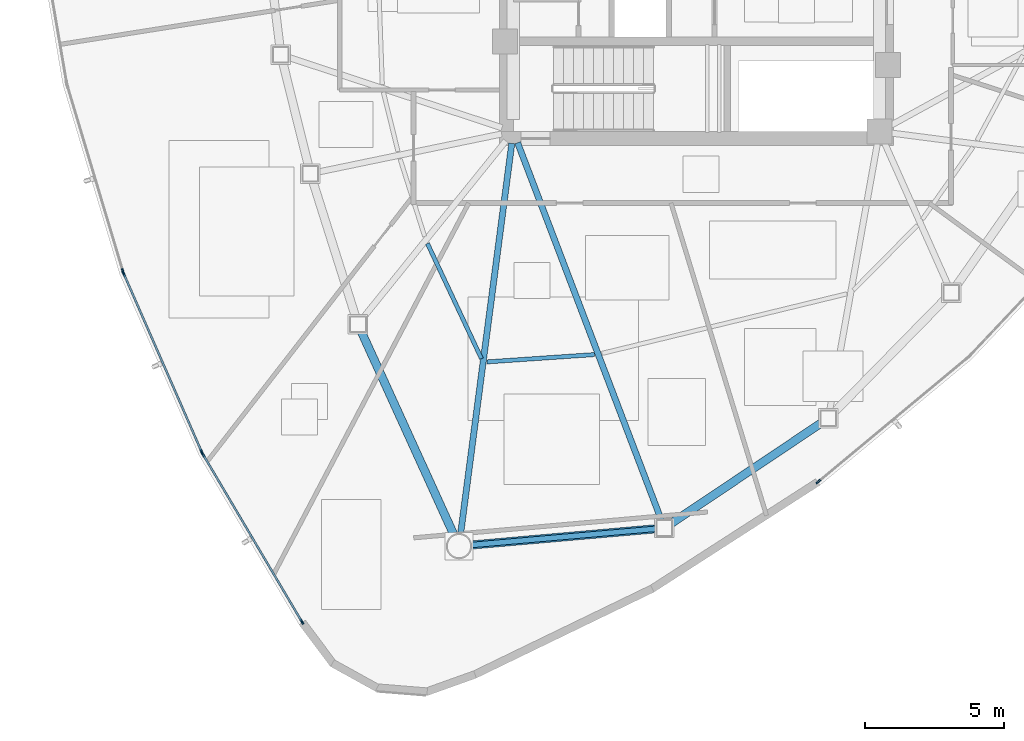
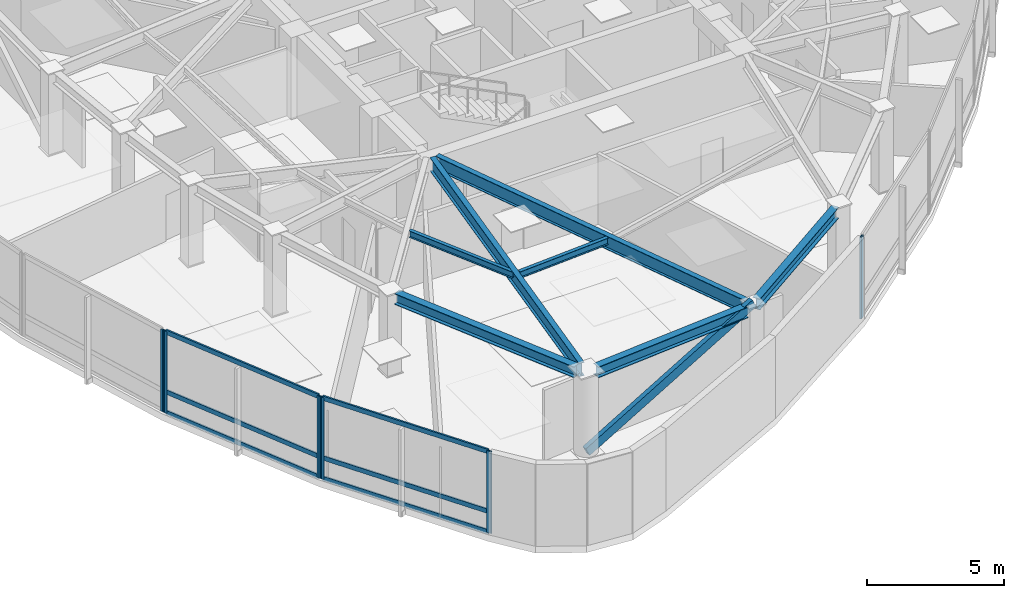
# One storey, part 2 of 15: 13 members, 7 beams, 4 elements without a shape of their own.
"""IFC4 building model written with IfcOpenShell, lengths in metres."""

import ifcopenshell
import ifcopenshell.guid

model = None  # the IFC model being written
_history = None  # IfcOwnerHistory: only IFC2X3 demands one
_inside = {}  # id of a spatial element -> (the spatial element, [elements in it])
_under = {}  # id of a project, library or spatial element -> (it, [spatial elements below it])
_declared = {}  # id of a project -> (the project, [libraries it declares])
_typed = {}  # id of a type object -> (the type object, [elements of that type])
_made_of = {}  # id of a material, layer set ... -> (it, [elements and type objects made of it])


def new_model(schema):
    """Start an empty IFC model of exactly this schema.

    Asked for "IFC4X3", IfcOpenShell would pick the latest addendum, in which some entities
    have other attributes; the version numbers below select the first issue.
    IFC2X3 requires an IfcOwnerHistory on every rooted entity: one is made here for all.
    """
    global model, _history
    if schema == "IFC4X3":
        model = ifcopenshell.file(schema_version=(4, 3, 0, 0))
    else:
        model = ifcopenshell.file(schema=schema)
    _inside.clear()
    _under.clear()
    _declared.clear()
    _typed.clear()
    _made_of.clear()
    _history = None
    if model.schema == "IFC2X3":
        org = make("IfcOrganization", Name="unknown")
        user = make(
            "IfcPersonAndOrganization",
            ThePerson=make("IfcPerson", FamilyName="unknown"),
            TheOrganization=org,
        )
        app = make(
            "IfcApplication",
            ApplicationDeveloper=org,
            Version="unknown",
            ApplicationFullName="unknown",
            ApplicationIdentifier="unknown",
        )
        _history = make(
            "IfcOwnerHistory",
            OwningUser=user,
            OwningApplication=app,
            ChangeAction="ADDED",
            CreationDate=0,
        )
    return model


def make(cls, **values):
    """One entity of the class cls with the attributes given. An attribute that is None is left unset."""
    return model.create_entity(
        cls, **{name: value for name, value in values.items() if value is not None}
    )


def rooted(cls, **values):
    """An entity with a GlobalId (a new one), such as an element, a storey or a relation."""
    return make(cls, GlobalId=ifcopenshell.guid.new(), OwnerHistory=_history, **values)


def si_unit(unit_type, name, prefix=None):
    """IfcSIUnit, for example si_unit("LENGTHUNIT", "METRE", prefix="MILLI")."""
    return make("IfcSIUnit", UnitType=unit_type, Prefix=prefix, Name=name)


def assignment(units):
    """IfcUnitAssignment: the units of a project."""
    return None if units is None else make("IfcUnitAssignment", Units=units)


def point(xyz):
    """IfcCartesianPoint."""
    return None if xyz is None else make("IfcCartesianPoint", Coordinates=xyz)


def direction(xyz):
    """IfcDirection."""
    return None if xyz is None else make("IfcDirection", DirectionRatios=xyz)


def frame(location, z_axis=None, x_axis=None):
    """IfcAxis2Placement3D, a coordinate frame: its origin and axes. An axis left out is left unset."""
    return make(
        "IfcAxis2Placement3D",
        Location=point(location),
        Axis=direction(z_axis),
        RefDirection=direction(x_axis),
    )


def frame_2d(location, x_axis=None):
    """IfcAxis2Placement2D, a coordinate frame in the plane: its origin and x axis."""
    return make(
        "IfcAxis2Placement2D", Location=point(location), RefDirection=direction(x_axis)
    )


def origin():
    """The frame at (0, 0, 0) with its axes left unset."""
    return frame((0.0, 0.0, 0.0))


def origin_2d():
    """The frame at (0, 0) in the plane with its x axis left unset."""
    return frame_2d((0.0, 0.0))


def place(relative_to, where):
    """IfcLocalPlacement: puts the frame where relative to a parent placement (None: the world)."""
    return make(
        "IfcLocalPlacement", PlacementRelTo=relative_to, RelativePlacement=where
    )


def context(
    kind, dimensions, precision=None, world=None, true_north=None, identifier=None
):
    """IfcGeometricRepresentationContext, for example the 3D "Model" context."""
    return make(
        "IfcGeometricRepresentationContext",
        ContextIdentifier=identifier,
        ContextType=kind,
        CoordinateSpaceDimension=dimensions,
        Precision=precision,
        WorldCoordinateSystem=world,
        TrueNorth=true_north,
    )


def subcontext(parent, identifier, kind, view, scale=None):
    """IfcGeometricRepresentationSubContext, for example "Body" below "Model"."""
    return make(
        "IfcGeometricRepresentationSubContext",
        ContextIdentifier=identifier,
        ContextType=kind,
        ParentContext=parent,
        TargetScale=scale,
        TargetView=view,
    )


def project(units=None, contexts=None):
    """IfcProject with its units and contexts."""
    return rooted(
        "IfcProject",
        Name="project",
        RepresentationContexts=contexts,
        UnitsInContext=assignment(units),
    )


def spatial(cls, under=None, at=None, **own):
    """A site, building, storey or space (cls), placed at a placement, below another one or the project."""
    s = rooted(cls, ObjectPlacement=at, **own)
    if under is not None:
        _under.setdefault(under.id(), (under, []))[1].append(s)
    return s


def profile(cls, at=None, kind="AREA", **sizes):
    """A parametric profile (cls). Its sizes go by their IFC names, for example OverallWidth=200.0."""
    return make(cls, ProfileType=kind, Position=at, **sizes)


def hollow_rectangle(**sizes):
    """IfcRectangleHollowProfileDef."""
    return profile("IfcRectangleHollowProfileDef", **sizes)


def i_section(**sizes):
    """IfcIShapeProfileDef."""
    return profile("IfcIShapeProfileDef", **sizes)


def extrude(swept, where, along, depth):
    """IfcExtrudedAreaSolid: the profile swept, set in the frame where, extruded along a direction by depth."""
    return make(
        "IfcExtrudedAreaSolid",
        SweptArea=swept,
        Position=where,
        ExtrudedDirection=direction(along),
        Depth=depth,
    )


def shape(context_of_items, identifier, shape_type, items):
    """IfcShapeRepresentation: the items that make up one representation, for example the "Body"."""
    return make(
        "IfcShapeRepresentation",
        ContextOfItems=context_of_items,
        RepresentationIdentifier=identifier,
        RepresentationType=shape_type,
        Items=items,
    )


def source(mapping_origin, context_of_items, identifier, shape_type, items):
    """IfcRepresentationMap: a shape defined once, which mapped items show again and again."""
    return make(
        "IfcRepresentationMap",
        MappingOrigin=mapping_origin,
        MappedRepresentation=shape(context_of_items, identifier, shape_type, items),
    )


def transform(
    local_origin,
    x_axis=None,
    y_axis=None,
    z_axis=None,
    scale=None,
    scale2=None,
    scale3=None,
    uniform=True,
):
    """IfcCartesianTransformationOperator3D, or its non-uniform kind. x_axis, y_axis, z_axis: its Axis1, 2, 3."""
    if uniform:
        return make(
            "IfcCartesianTransformationOperator3D",
            Axis1=direction(x_axis),
            Axis2=direction(y_axis),
            LocalOrigin=point(local_origin),
            Scale=scale,
            Axis3=direction(z_axis),
        )
    return make(
        "IfcCartesianTransformationOperator3DnonUniform",
        Axis1=direction(x_axis),
        Axis2=direction(y_axis),
        LocalOrigin=point(local_origin),
        Scale=scale,
        Axis3=direction(z_axis),
        Scale2=scale2,
        Scale3=scale3,
    )


def mapped(mapping_source, mapping_target):
    """IfcMappedItem: shows the shape of a source again, moved by a transform."""
    return make(
        "IfcMappedItem", MappingSource=mapping_source, MappingTarget=mapping_target
    )


def material(Name=None, Category=None):
    """IfcMaterial."""
    return make("IfcMaterial", Name=Name, Category=Category)


def layer(
    of_material, thickness, ventilated=None, Name=None, Category=None, Priority=None
):
    """IfcMaterialLayer: one layer of a wall or slab, of a material (None: an air gap)."""
    return make(
        "IfcMaterialLayer",
        Material=of_material,
        LayerThickness=thickness,
        IsVentilated=ventilated,
        Name=Name,
        Category=Category,
        Priority=Priority,
    )


def layer_set(layers, Name=None):
    """IfcMaterialLayerSet."""
    return make("IfcMaterialLayerSet", MaterialLayers=layers, LayerSetName=Name)


def material_profile(
    of_material, cross_section, Name=None, Category=None, Priority=None
):
    """IfcMaterialProfile: a cross section and its material."""
    return make(
        "IfcMaterialProfile",
        Name=Name,
        Material=of_material,
        Profile=cross_section,
        Priority=Priority,
        Category=Category,
    )


def profile_set(profiles, Name=None, composite=None):
    """IfcMaterialProfileSet."""
    return make(
        "IfcMaterialProfileSet",
        Name=Name,
        MaterialProfiles=profiles,
        CompositeProfile=composite,
    )


def made_of(thing, what):
    """Note that an element or type object is made of a material, layer set ...; save() writes the relation."""
    if what is not None:
        _made_of.setdefault(what.id(), (what, []))[1].append(thing)
    return thing


def type_object(cls, material=None, **own):
    """A type object (cls), such as IfcWallType, which elements share."""
    return made_of(rooted(cls, **own), material)


def type_shapes(of_type, sources):
    """Give a type object the sources (RepresentationMaps) that its elements show as mapped items."""
    of_type.RepresentationMaps = sources


def element(
    cls,
    number,
    at=None,
    inside=None,
    cuts=None,
    type_object=None,
    material=None,
    context=None,
    identifier="Body",
    shape_type=None,
    held_by="IfcProductDefinitionShape",
    body=None,
    shapes=None,
    **own,
):
    """One element of the class cls, such as IfcWall. Its Tag is "e" and its number.

    at: its placement. inside: the storey or other place that contains it. cuts: it is an
    opening in that element (IfcRelVoidsElement). A single representation is given by context,
    identifier, shape_type and body (its items); several are given by shapes. held_by: the class
    of the entity that holds the representations. save() writes the other relations.
    """
    e = rooted(cls, Tag="e%d" % number, ObjectPlacement=at, **own)
    if body is not None:
        shapes = [shape(context, identifier, shape_type, body)]
    if shapes is not None:
        e.Representation = make(held_by, Representations=shapes)
    if inside is not None:
        _inside.setdefault(inside.id(), (inside, []))[1].append(e)
    if cuts is not None:
        rooted(
            "IfcRelVoidsElement", RelatingBuildingElement=cuts, RelatedOpeningElement=e
        )
    if type_object is not None:
        _typed.setdefault(type_object.id(), (type_object, []))[1].append(e)
    return made_of(e, material)


def aggregate(whole, parts):
    """IfcRelAggregates: a whole, such as a stair, and the parts it consists of."""
    return rooted("IfcRelAggregates", RelatingObject=whole, RelatedObjects=parts)


def save(model, path):
    """Write the relations noted so far, then the file.

    IfcRelAggregates (storeys below a building ...), IfcRelContainedInSpatialStructure (elements
    in a storey), IfcRelDefinesByType, IfcRelAssociatesMaterial and IfcRelDeclares: one each for
    every whole, place, type object, material and project.
    """
    for whole, parts in _under.values():
        aggregate(whole, parts)
    for where, things in _inside.values():
        rooted(
            "IfcRelContainedInSpatialStructure",
            RelatedElements=things,
            RelatingStructure=where,
        )
    for kind, things in _typed.values():
        rooted("IfcRelDefinesByType", RelatedObjects=things, RelatingType=kind)
    for what, things in _made_of.values():
        rooted("IfcRelAssociatesMaterial", RelatedObjects=things, RelatingMaterial=what)
    for by, libraries in _declared.values():
        rooted("IfcRelDeclares", RelatingContext=by, RelatedDefinitions=libraries)
    model.write(path)


model = new_model("IFC4")

# Units and contexts
model_context = context("Model", 3, precision=1e-05, world=origin(), true_north=direction((0.0, 1.0)))
body_context = subcontext(model_context, "Body", "Model", "MODEL_VIEW")
ifc_project = project(units=[si_unit("LENGTHUNIT", "METRE"), si_unit("AREAUNIT", "SQUARE_METRE"), si_unit("VOLUMEUNIT", "CUBIC_METRE"), si_unit("PLANEANGLEUNIT", "RADIAN"), si_unit("MASSUNIT", "GRAM", prefix="KILO")], contexts=[model_context])

# Site, building, storey
site_placement = place(None, origin())
site = spatial("IfcSite", under=ifc_project, at=site_placement, CompositionType="ELEMENT")
building_placement = place(site_placement, origin())
building = spatial("IfcBuilding", under=site, at=building_placement, Name="Tavelor Broadcast Tower", CompositionType="ELEMENT")
storey_placement = place(building_placement, frame((0.0, 0.0, 222.14990234375)))
storey = spatial("IfcBuildingStorey", under=building, at=storey_placement, Name="L52", CompositionType="ELEMENT", Elevation=222.14990234375)

# Beams
ifc_material_1 = material(Name="Steel S355", Category="steel")
ifc_material_profile_1 = material_profile(ifc_material_1, i_section(OverallWidth=0.14990234375, OverallDepth=0.300048828125, WebThickness=0.007080078125, FlangeThickness=0.0107421875, at=origin_2d()), Name="IPE 300")
ifc_profile_set_1 = profile_set([ifc_material_profile_1], Name="Steel S355")
beam_type_1 = type_object("IfcBeamType", Name="Composite Floor Joist T5 IPE 300", PredefinedType="JOIST", material=ifc_profile_set_1)
beam_1_placement = place(storey_placement, frame((40.303466796875, 34.76123046875, 3.5), z_axis=(0.424747696097, -0.905311766553, 0.0), x_axis=(0.905311766553, 0.424747696097, 0.0)))
element("IfcBeam", 1, at=beam_1_placement, inside=storey, type_object=beam_type_1, Name="L52 Secondary Composite Floor Joist 06", PredefinedType="JOIST", context=body_context, shape_type="SweptSolid", body=[
    extrude(i_section(OverallWidth=0.14990234375, OverallDepth=0.300048828125, WebThickness=0.007080078125, FlangeThickness=0.0107421875, at=origin_2d()), origin(), (0.0, 0.0, 1.0), 4.583984375),
])
beam_2_placement = place(storey_placement, frame((42.44873046875, 30.49462890625, 3.5), z_axis=(0.997688348821, 0.067955563618, 0.0), x_axis=(-0.067955563618, 0.997688348821, 0.0)))
element("IfcBeam", 2, at=beam_2_placement, inside=storey, type_object=beam_type_1, Name="L52 Secondary Composite Floor Joist 07", PredefinedType="JOIST", context=body_context, shape_type="SweptSolid", body=[
    extrude(i_section(OverallWidth=0.14990234375, OverallDepth=0.300048828125, WebThickness=0.007080078125, FlangeThickness=0.0107421875, at=origin_2d()), origin(), (0.0, 0.0, 1.0), 3.880126953125),
])
ifc_material_profile_2 = material_profile(ifc_material_1, i_section(OverallWidth=0.300048828125, OverallDepth=0.489990234375, WebThickness=0.011962890625, FlangeThickness=0.02294921875, at=origin_2d()), Name="HEA 500")
ifc_profile_set_2 = profile_set([ifc_material_profile_2], Name="Steel S355")
beam_type_2 = type_object("IfcBeamType", Name="Perimeter Spandrel Beam T5 HEA 500", PredefinedType="SPANDREL", material=ifc_profile_set_2)
beam_3_placement = place(storey_placement, frame((37.91650390625, 31.59130859375, 3.405029296875), z_axis=(0.414437010202, -0.910077999171, 0.0), x_axis=(0.910077999171, 0.414437010202, 0.0)))
element("IfcBeam", 3, at=beam_3_placement, inside=storey, type_object=beam_type_2, Name="L52 Framed-Tube Ring Spandrel 06", PredefinedType="SPANDREL", context=body_context, shape_type="SweptSolid", body=[
    extrude(i_section(OverallWidth=0.300048828125, OverallDepth=0.489990234375, WebThickness=0.011962890625, FlangeThickness=0.02294921875, at=origin_2d()), origin(), (0.0, 0.0, 1.0), 8.0634765625),
])
beam_4_placement = place(storey_placement, frame((41.877197265625, 23.89208984375, 3.405029296875), z_axis=(0.996152506101, 0.087636662361, 0.0), x_axis=(-0.087636662361, 0.996152506101, 0.0)))
element("IfcBeam", 4, at=beam_4_placement, inside=storey, type_object=beam_type_2, Name="L52 Framed-Tube Ring Spandrel 07", PredefinedType="SPANDREL", context=body_context, shape_type="SweptSolid", body=[
    extrude(i_section(OverallWidth=0.300048828125, OverallDepth=0.489990234375, WebThickness=0.011962890625, FlangeThickness=0.02294921875, at=origin_2d()), origin(), (0.0, 0.0, 1.0), 6.70556640625),
])
beam_5_placement = place(storey_placement, frame((49.083251953125, 24.665283203125, 3.405029296875), z_axis=(0.830979943124, 0.556302376523, 0.0), x_axis=(-0.556302376523, 0.830979943124, 0.0)))
element("IfcBeam", 5, at=beam_5_placement, inside=storey, type_object=beam_type_2, Name="L52 Framed-Tube Ring Spandrel 08", PredefinedType="SPANDREL", context=body_context, shape_type="SweptSolid", body=[
    extrude(i_section(OverallWidth=0.300048828125, OverallDepth=0.489990234375, WebThickness=0.011962890625, FlangeThickness=0.02294921875, at=origin_2d()), origin(), (0.0, 0.0, 1.0), 6.536376953125),
])

# Member
ifc_material_profile_3 = material_profile(ifc_material_1, hollow_rectangle(XDim=0.199951171875, YDim=0.39990234375, WallThickness=0.01611328125, at=origin_2d()), Name="RHS 400x200x16")
ifc_profile_set_3 = profile_set([ifc_material_profile_3], Name="Steel S355")
member_type_1 = type_object("IfcMemberType", Name="Perimeter Tube Brace T5 RHS 400x200x16", PredefinedType="BRACE", material=ifc_profile_set_3)
member_1_placement = place(storey_placement, frame((41.440185546875, 23.853759765625, 0.0), z_axis=(0.894143836839, 0.078634887979, 0.440821226162), x_axis=(-0.087606208465, 0.996155184817, 0.0)))
element("IfcMember", 6, at=member_1_placement, inside=storey, type_object=member_type_1, Name="L52 Corner Tube Diagonal Brace 2", PredefinedType="BRACE", context=body_context, shape_type="SweptSolid", body=[
    extrude(hollow_rectangle(XDim=0.199951171875, YDim=0.39990234375, WallThickness=0.01611328125, at=origin_2d()), origin(), (0.0, 0.0, 1.0), 8.2802734375),
])

# Beams
ifc_material_profile_4 = material_profile(ifc_material_1, i_section(OverallWidth=0.219970703125, OverallDepth=0.60009765625, WebThickness=0.011962890625, FlangeThickness=0.01904296875, at=origin_2d()), Name="IPE 600")
ifc_profile_set_4 = profile_set([ifc_material_profile_4], Name="Steel S355")
beam_type_3 = type_object("IfcBeamType", Name="Radial Floor Girder T5 IPE 600", PredefinedType="BEAM", material=ifc_profile_set_4)
beam_6_placement = place(storey_placement, frame((43.34375, 38.37158203125, 3.35009765625), z_axis=(-0.130000517012, -0.991513926063, 0.0), x_axis=(0.991513926063, -0.130000517012, 0.0)))
element("IfcBeam", 7, at=beam_6_placement, inside=storey, type_object=beam_type_3, Name="L52 Radial Primary Floor Girder 07", PredefinedType="BEAM", context=body_context, shape_type="SweptSolid", body=[
    extrude(i_section(OverallWidth=0.219970703125, OverallDepth=0.60009765625, WebThickness=0.011962890625, FlangeThickness=0.01904296875, at=origin_2d()), origin(), (0.0, 0.0, 1.0), 14.203369140625),
])
beam_7_placement = place(storey_placement, frame((43.5537109375, 38.396240234375, 3.35009765625), z_axis=(0.355898513414, -0.934524610778, 0.0), x_axis=(0.934524610778, 0.355898513414, 0.0)))
element("IfcBeam", 8, at=beam_7_placement, inside=storey, type_object=beam_type_3, Name="L52 Radial Primary Floor Girder 08", PredefinedType="BEAM", context=body_context, shape_type="SweptSolid", body=[
    extrude(i_section(OverallWidth=0.219970703125, OverallDepth=0.60009765625, WebThickness=0.011962890625, FlangeThickness=0.01904296875, at=origin_2d()), origin(), (0.0, 0.0, 1.0), 14.576416015625),
])

# Curtain wall, member
ifc_material_2 = material(Name="Architectural Anodized Aluminium", Category="aluminium")
ifc_layer = layer(ifc_material_2, 0.199951171875)
ifc_layer_set = layer_set([ifc_layer], Name="Architectural Anodized Aluminium")
curtain_wall_type = type_object("IfcCurtainWallType", Name="Tower High-Zone Triple-Glazed Curtain Wall CW04", PredefinedType="NOTDEFINED", material=ifc_layer_set)
curtain_wall_1_placement = place(storey_placement, origin())
curtain_wall_1 = element("IfcCurtainWall", 9, at=curtain_wall_1_placement, inside=storey, type_object=curtain_wall_type, Name="L52 Curtain Wall CW04 Run 554", PredefinedType="NOTDEFINED")
ifc_material_profile_5 = material_profile(ifc_material_2, hollow_rectangle(XDim=0.070068359375, YDim=0.199951171875, WallThickness=0.02197265625, at=origin_2d()), Name="RHS 70x200x22")
ifc_profile_set_5 = profile_set([ifc_material_profile_5], Name="Architectural Anodized Aluminium")
member_type_2 = type_object("IfcMemberType", Name="CW04 Extruded Aluminium Mullion 70x200", PredefinedType="MULLION", material=ifc_profile_set_5)
shared_shape_1 = source(origin(), body_context, "Body", "SweptSolid", [
    extrude(hollow_rectangle(XDim=0.070068359375, YDim=0.199951171875, WallThickness=0.02197265625, at=origin_2d()), origin(), (0.0, 0.0, 1.0), 3.650146484375),
])
type_shapes(member_type_2, [shared_shape_1])
member_2_placement = place(storey_placement, frame((29.32080078125, 33.76416015625, 0.0), z_axis=(0.0, 0.0, 1.0), x_axis=(0.957944905452, 0.286952187862, 0.0)))
member_2 = element("IfcMember", 10, at=member_2_placement, type_object=member_type_2, Name="CW04 mullion 2", PredefinedType="MULLION", context=body_context, shape_type="MappedRepresentation", body=[
    mapped(shared_shape_1, transform((0.0, 0.0, 0.0), scale=1.0)),
])
aggregate(curtain_wall_1, [member_2])

# Curtain wall, members
curtain_wall_2_placement = place(storey_placement, origin())
curtain_wall_2 = element("IfcCurtainWall", 11, at=curtain_wall_2_placement, inside=storey, type_object=curtain_wall_type, Name="L52 Curtain Wall CW04 Run 555", PredefinedType="NOTDEFINED")
member_3_placement = place(storey_placement, frame((29.355224609375, 33.67041015625, 0.0), z_axis=(0.0, 0.0, 1.0), x_axis=(0.916191083398, 0.400741685755, 0.0)))
member_3 = element("IfcMember", 12, at=member_3_placement, type_object=member_type_2, Name="CW04 mullion 1", PredefinedType="MULLION", context=body_context, shape_type="MappedRepresentation", body=[
    mapped(shared_shape_1, transform((0.0, 0.0, 0.0), scale=1.0)),
])
member_4_placement = place(storey_placement, frame((32.1611328125, 27.25537109375, 0.0), z_axis=(0.0, 0.0, 1.0), x_axis=(0.916191083398, 0.400741685755, 0.0)))
member_4 = element("IfcMember", 13, at=member_4_placement, type_object=member_type_2, Name="CW04 mullion 2", PredefinedType="MULLION", context=body_context, shape_type="MappedRepresentation", body=[
    mapped(shared_shape_1, transform((0.0, 0.0, 0.0), scale=1.0)),
])

curtain_wall_3_placement = place(storey_placement, origin())
curtain_wall_3 = element("IfcCurtainWall", 14, at=curtain_wall_3_placement, inside=storey, type_object=curtain_wall_type, Name="L52 Curtain Wall CW04 Run 556", PredefinedType="NOTDEFINED")
member_5_placement = place(storey_placement, frame((32.20654296875, 27.16650390625, 0.0), z_axis=(0.0, 0.0, 1.0), x_axis=(0.860951525182, 0.508687007192, 0.0)))
member_5 = element("IfcMember", 15, at=member_5_placement, type_object=member_type_2, Name="CW04 mullion 1", PredefinedType="MULLION", context=body_context, shape_type="MappedRepresentation", body=[
    mapped(shared_shape_1, transform((0.0, 0.0, 0.0), scale=1.0)),
])
member_6_placement = place(storey_placement, frame((35.776611328125, 21.12451171875, 0.0), z_axis=(0.0, 0.0, 1.0), x_axis=(0.860951525182, 0.508687007192, 0.0)))
member_6 = element("IfcMember", 16, at=member_6_placement, type_object=member_type_2, Name="CW04 mullion 2", PredefinedType="MULLION", context=body_context, shape_type="MappedRepresentation", body=[
    mapped(shared_shape_1, transform((0.0, 0.0, 0.0), scale=1.0)),
])

# Curtain wall, member
curtain_wall_4_placement = place(storey_placement, origin())
curtain_wall_4 = element("IfcCurtainWall", 17, at=curtain_wall_4_placement, inside=storey, type_object=curtain_wall_type, Name="L52 Curtain Wall CW04 Run 557", PredefinedType="NOTDEFINED")
member_7_placement = place(storey_placement, frame((54.396484375, 26.18017578125, 0.0), z_axis=(0.0, 0.0, 1.0), x_axis=(-0.63910535915, 0.769119197463, 0.0)))
member_7 = element("IfcMember", 18, at=member_7_placement, type_object=member_type_2, Name="CW04 mullion 1", PredefinedType="MULLION", context=body_context, shape_type="MappedRepresentation", body=[
    mapped(shared_shape_1, transform((0.0, 0.0, 0.0), scale=1.0)),
])
aggregate(curtain_wall_4, [member_7])

# Member
ifc_material_profile_6 = material_profile(ifc_material_2, hollow_rectangle(XDim=0.070068359375, YDim=0.199951171875, WallThickness=0.02197265625, at=origin_2d()), Name="RHS 70x200x22")
ifc_profile_set_6 = profile_set([ifc_material_profile_6], Name="Architectural Anodized Aluminium")
member_type_3 = type_object("IfcMemberType", Name="CW04 Extruded Aluminium Transom 70x200", PredefinedType="USERDEFINED", material=ifc_profile_set_6)
shared_shape_2 = source(origin(), body_context, "Body", "SweptSolid", [
    extrude(hollow_rectangle(XDim=0.070068359375, YDim=0.199951171875, WallThickness=0.02197265625, at=origin_2d()), origin(), (0.0, 0.0, 1.0), 6.931884765625),
])
member_8_placement = place(storey_placement, frame((29.369140625, 33.638427734375, 0.03515625), z_axis=(0.4007264532, -0.916197745962, 0.0), x_axis=(0.916197745962, 0.4007264532, 0.0)))
member_8 = element("IfcMember", 19, at=member_8_placement, type_object=member_type_3, Name="CW04 transom 1.1", ObjectType="TRANSOM", PredefinedType="USERDEFINED", context=body_context, shape_type="MappedRepresentation", body=[
    mapped(shared_shape_2, transform((0.0, 0.0, 0.0), scale=1.0)),
])

member_9_placement = place(storey_placement, frame((29.369140625, 33.638427734375, 0.9501953125), z_axis=(0.4007264532, -0.916197745962, 0.0), x_axis=(0.916197745962, 0.4007264532, 0.0)))
member_9 = element("IfcMember", 20, at=member_9_placement, type_object=member_type_3, Name="CW04 transom 1.2", ObjectType="TRANSOM", PredefinedType="USERDEFINED", context=body_context, shape_type="MappedRepresentation", body=[
    mapped(shared_shape_2, transform((0.0, 0.0, 0.0), scale=1.0)),
])

member_10_placement = place(storey_placement, frame((29.369140625, 33.638427734375, 3.614990234375), z_axis=(0.4007264532, -0.916197745962, 0.0), x_axis=(0.916197745962, 0.4007264532, 0.0)))
member_10 = element("IfcMember", 21, at=member_10_placement, type_object=member_type_3, Name="CW04 transom 1.3", ObjectType="TRANSOM", PredefinedType="USERDEFINED", context=body_context, shape_type="MappedRepresentation", body=[
    mapped(shared_shape_2, transform((0.0, 0.0, 0.0), scale=1.0)),
])

aggregate(curtain_wall_2, [member_3, member_4, member_8, member_9, member_10])

shared_shape_3 = source(origin(), body_context, "Body", "SweptSolid", [
    extrude(hollow_rectangle(XDim=0.070068359375, YDim=0.199951171875, WallThickness=0.02197265625, at=origin_2d()), origin(), (0.0, 0.0, 1.0), 6.94775390625),
])
type_shapes(member_type_3, [shared_shape_2, shared_shape_3])
member_11_placement = place(storey_placement, frame((32.224365234375, 27.136474609375, 0.03515625), z_axis=(0.508706818709, -0.860939819383, 0.0), x_axis=(0.860939819383, 0.508706818709, 0.0)))
member_11 = element("IfcMember", 22, at=member_11_placement, type_object=member_type_3, Name="CW04 transom 1.1", ObjectType="TRANSOM", PredefinedType="USERDEFINED", context=body_context, shape_type="MappedRepresentation", body=[
    mapped(shared_shape_3, transform((0.0, 0.0, 0.0), scale=1.0)),
])

member_12_placement = place(storey_placement, frame((32.224365234375, 27.136474609375, 0.9501953125), z_axis=(0.508706818709, -0.860939819383, 0.0), x_axis=(0.860939819383, 0.508706818709, 0.0)))
member_12 = element("IfcMember", 23, at=member_12_placement, type_object=member_type_3, Name="CW04 transom 1.2", ObjectType="TRANSOM", PredefinedType="USERDEFINED", context=body_context, shape_type="MappedRepresentation", body=[
    mapped(shared_shape_3, transform((0.0, 0.0, 0.0), scale=1.0)),
])

member_13_placement = place(storey_placement, frame((32.224365234375, 27.136474609375, 3.614990234375), z_axis=(0.508706818709, -0.860939819383, 0.0), x_axis=(0.860939819383, 0.508706818709, 0.0)))
member_13 = element("IfcMember", 24, at=member_13_placement, type_object=member_type_3, Name="CW04 transom 1.3", ObjectType="TRANSOM", PredefinedType="USERDEFINED", context=body_context, shape_type="MappedRepresentation", body=[
    mapped(shared_shape_3, transform((0.0, 0.0, 0.0), scale=1.0)),
])

aggregate(curtain_wall_3, [member_5, member_6, member_11, member_12, member_13])

save(model, "model.ifc")
